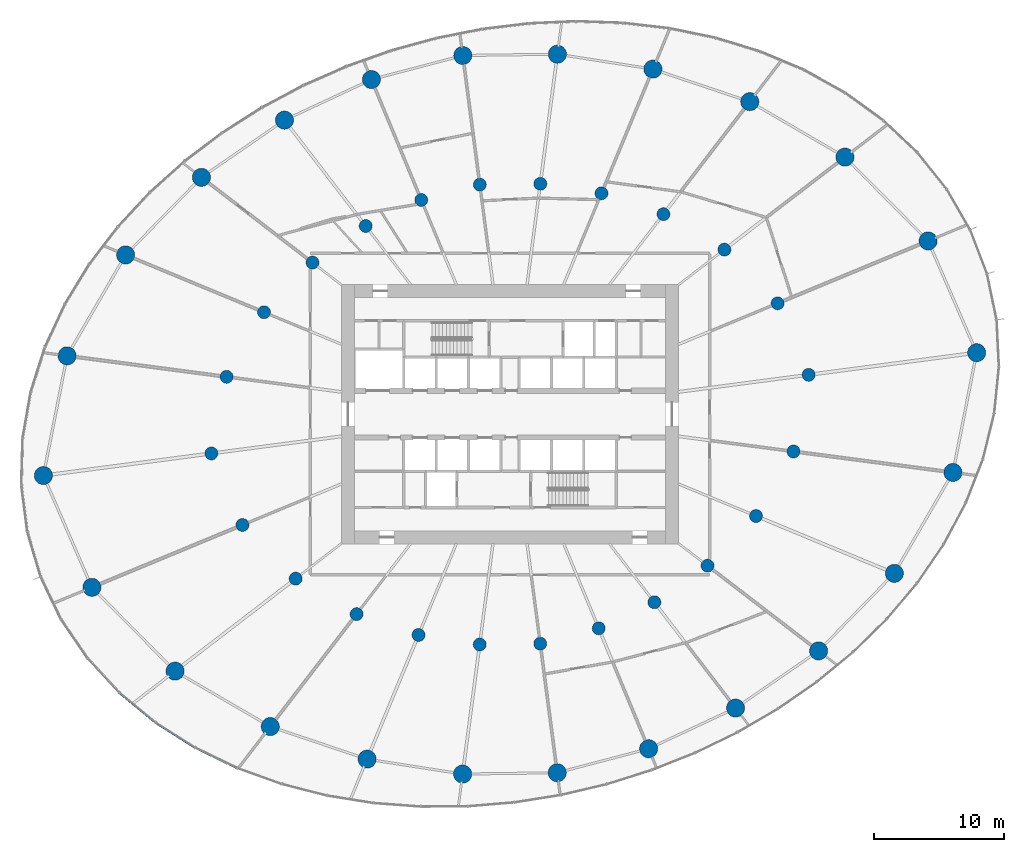
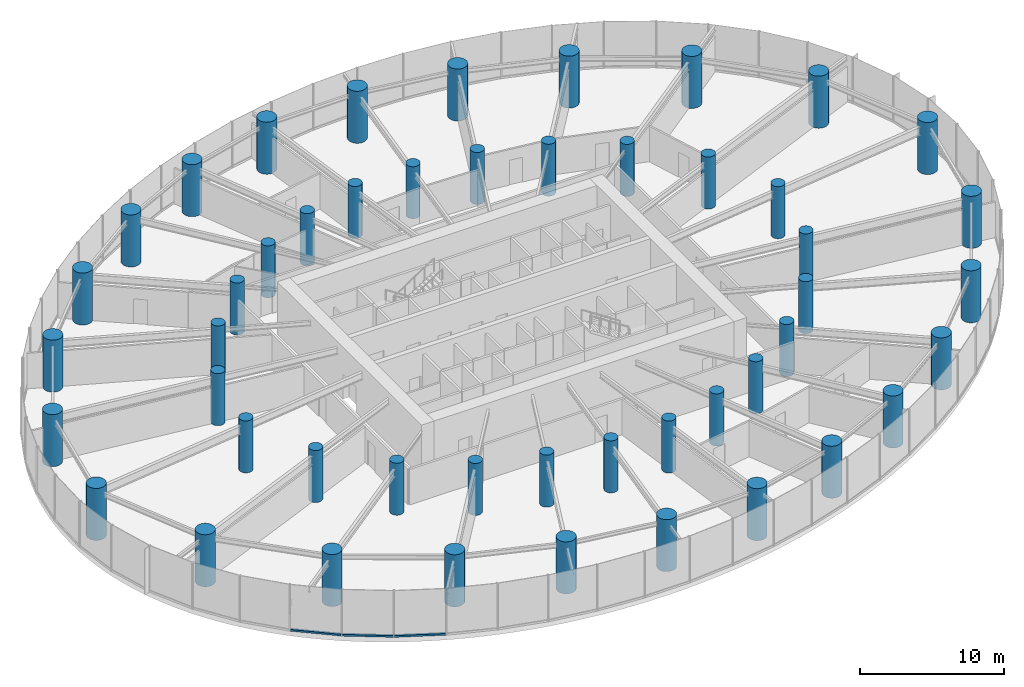
# One storey, part 1 of 18: 48 columns, 3 members, 1 element without a shape of its own.
"""IFC4 building model written with IfcOpenShell, lengths in metres."""

from ifc_helpers import new_model, si_unit, direction, frame, origin, origin_2d, place, context, subcontext, project, spatial, rectangle, circle, extrude, source, transform, mapped, material, layer, layer_set, material_profile, profile_set, type_object, element, aggregate, save


model = new_model("IFC4")

# Units and contexts
model_context = context("Model", 3, precision=1e-05, world=origin(), true_north=direction((0.0, 1.0)))
body_context = subcontext(model_context, "Body", "Model", "MODEL_VIEW")
ifc_project = project(units=[si_unit("LENGTHUNIT", "METRE"), si_unit("AREAUNIT", "SQUARE_METRE"), si_unit("VOLUMEUNIT", "CUBIC_METRE"), si_unit("PLANEANGLEUNIT", "RADIAN"), si_unit("MASSUNIT", "GRAM", prefix="KILO")], contexts=[model_context])

# Site, building, storey
site_placement = place(None, origin())
site = spatial("IfcSite", under=ifc_project, at=site_placement, CompositionType="ELEMENT")
building_placement = place(site_placement, origin())
building = spatial("IfcBuilding", under=site, at=building_placement, Name="Spindrift Exchange Tower", CompositionType="ELEMENT")
storey_placement = place(building_placement, frame((0.0, 0.0, 71.0)))
storey = spatial("IfcBuildingStorey", under=building, at=storey_placement, Name="L16", CompositionType="ELEMENT", Elevation=71.0)

# Columns
ifc_material_1 = material(Name="Concrete 80 MPa", Category="concrete")
ifc_material_profile_1 = material_profile(ifc_material_1, circle(Radius=0.699951171875, at=origin_2d()), Name="RC D1400")
ifc_profile_set_1 = profile_set([ifc_material_profile_1], Name="Concrete 80 MPa")
column_type_1 = type_object("IfcColumnType", Name="RC Perimeter Column D1400 Concrete 80 MPa", PredefinedType="COLUMN", material=ifc_profile_set_1)
shared_shape_1 = source(origin(), body_context, "Body", "SweptSolid", [
    extrude(circle(Radius=0.699951171875, at=origin_2d()), origin(), (0.0, 0.0, 1.0), 4.39990234375),
])
for number, where, z_axis, x_axis, name in (
    (1, (87.990478515625, 52.73828125, 0.0), (0.0, 0.0, 1.0), (1.0, 0.0, 0.0), "Perimeter column P1-01 L16"),
    (2, (84.248779296875, 61.35791015625, 0.0), (0.0, 0.0, 1.0), (1.0, 0.0, 0.0), "Perimeter column P1-02 L16"),
    (3, (77.835693359375, 67.82421875, 0.0), (0.0, 0.0, 1.0), (1.0, 0.0, 0.0), "Perimeter column P1-03 L16"),
    (4, (70.4921875, 72.099609375, 0.0), (0.0, 0.0, 1.0), (1.0, 0.0, 0.0), "Perimeter column P1-04 L16"),
    (5, (63.022705078125, 74.611328125, 0.0), (0.0, 0.0, 1.0), (1.0, 0.0, 0.0), "Perimeter column P1-05 L16"),
    (6, (55.65478515625, 75.761474609375, 0.0), (0.0, 0.0, 1.0), (1.0, 0.0, 0.0), "Perimeter column P1-06 L16"),
    (7, (48.3583984375, 75.661376953125, 0.0), (0.0, 0.0, 1.0), (1.0, 0.0, 0.0), "Perimeter column P1-07 L16"),
    (8, (41.309814453125, 73.80859375, 0.0), (0.0, 0.0, 1.0), (1.0, 0.0, 0.0), "Perimeter column P1-08 L16"),
    (9, (34.603515625, 70.671630859375, 0.0), (0.0, 0.0, 1.0), (1.0, 0.0, 0.0), "Perimeter column P1-09 L16"),
    (10, (28.199462890625, 66.2626953125, 0.0), (0.0, 0.0, 1.0), (1.0, 0.0, 0.0), "Perimeter column P1-10 L16"),
    (11, (22.35546875, 60.279296875, 0.0), (0.0, 0.0, 1.0), (1.0, 0.0, 0.0), "Perimeter column P1-11 L16"),
    (12, (17.8388671875, 52.497314453125, 0.0), (0.0, 0.0, 1.0), (1.0, 0.0, 0.0), "Perimeter column P1-12 L16"),
    (13, (16.009521484375, 43.26171875, 0.0), (0.0, 0.0, 1.0), (1.0, 0.0, 0.0), "Perimeter column P1-13 L16"),
    (14, (19.751220703125, 34.64208984375, 0.0), (0.0, 0.0, 1.0), (1.0, 0.0, 0.0), "Perimeter column P1-14 L16"),
    (15, (26.164306640625, 28.17578125, 0.0), (0.0, 0.0, 1.0), (1.0, 0.0, 0.0), "Perimeter column P1-15 L16"),
    (16, (33.5078125, 23.900390625, 0.0), (0.0, 0.0, 1.0), (1.0, 0.0, 0.0), "Perimeter column P1-16 L16"),
    (17, (40.977294921875, 21.388671875, 0.0), (0.0, 0.0, 1.0), (1.0, 0.0, 0.0), "Perimeter column P1-17 L16"),
    (18, (48.34521484375, 20.238525390625, 0.0), (0.0, 0.0, 1.0), (1.0, 0.0, 0.0), "Perimeter column P1-18 L16"),
    (19, (55.6416015625, 20.338623046875, 0.0), (0.0, 0.0, 1.0), (1.0, 0.0, 0.0), "Perimeter column P1-19 L16"),
    (20, (62.690185546875, 22.19140625, 0.0), (0.0, 0.0, 1.0), (1.0, 0.0, 0.0), "Perimeter column P1-20 L16"),
    (21, (69.396484375, 25.328369140625, 0.0), (0.0, 0.0, 1.0), (1.0, 0.0, 0.0), "Perimeter column P1-21 L16"),
    (22, (75.800537109375, 29.7373046875, 0.0), (0.0, 0.0, 1.0), (1.0, 0.0, 0.0), "Perimeter column P1-22 L16"),
    (23, (81.64453125, 35.720703125, 0.0), (0.0, 0.0, 1.0), (1.0, 0.0, 0.0), "Perimeter column P1-23 L16"),
    (24, (86.1611328125, 43.502685546875, 0.0), (0.0, 0.0, 1.0), (1.0, 0.0, 0.0), "Perimeter column P1-24 L16"),
):
    element("IfcColumn", number, at=place(storey_placement, frame(where, z_axis=z_axis, x_axis=x_axis)), inside=storey, type_object=column_type_1, Name=name, PredefinedType="COLUMN", context=body_context, shape_type="MappedRepresentation", body=[
        mapped(shared_shape_1, transform((0.0, 0.0, 0.0), scale=1.0)),
    ])
ifc_material_profile_2 = material_profile(ifc_material_1, circle(Radius=0.5, at=origin_2d()), Name="RC D1000")
ifc_profile_set_2 = profile_set([ifc_material_profile_2], Name="Concrete 80 MPa")
column_type_2 = type_object("IfcColumnType", Name="RC Inner Column D1000 Concrete 80 MPa", PredefinedType="COLUMN", material=ifc_profile_set_2)
shared_shape_2 = source(origin(), body_context, "Body", "SweptSolid", [
    extrude(circle(Radius=0.5, at=origin_2d()), origin(), (0.0, 0.0, 1.0), 4.39990234375),
])
for number, where, z_axis, x_axis, name in (
    (25, (75.033935546875, 51.032470703125, 0.0), (0.0, 0.0, 1.0), (1.0, 0.0, 0.0), "Inner column Q1-01 L16"),
    (26, (72.639404296875, 56.549072265625, 0.0), (0.0, 0.0, 1.0), (1.0, 0.0, 0.0), "Inner column Q1-02 L16"),
    (27, (68.534912109375, 60.6875, 0.0), (0.0, 0.0, 1.0), (1.0, 0.0, 0.0), "Inner column Q1-03 L16"),
    (28, (63.835205078125, 63.423828125, 0.0), (0.0, 0.0, 1.0), (1.0, 0.0, 0.0), "Inner column Q1-04 L16"),
    (29, (59.0546875, 65.03125, 0.0), (0.0, 0.0, 1.0), (1.0, 0.0, 0.0), "Inner column Q1-05 L16"),
    (30, (54.339111328125, 65.767333984375, 0.0), (0.0, 0.0, 1.0), (1.0, 0.0, 0.0), "Inner column Q1-06 L16"),
    (31, (49.669189453125, 65.703125, 0.0), (0.0, 0.0, 1.0), (1.0, 0.0, 0.0), "Inner column Q1-07 L16"),
    (32, (45.158203125, 64.517578125, 0.0), (0.0, 0.0, 1.0), (1.0, 0.0, 0.0), "Inner column Q1-08 L16"),
    (33, (40.8662109375, 62.510009765625, 0.0), (0.0, 0.0, 1.0), (1.0, 0.0, 0.0), "Inner column Q1-09 L16"),
    (34, (36.767578125, 59.688232421875, 0.0), (0.0, 0.0, 1.0), (1.0, 0.0, 0.0), "Inner column Q1-10 L16"),
    (35, (33.027587890625, 55.858642578125, 0.0), (0.0, 0.0, 1.0), (1.0, 0.0, 0.0), "Inner column Q1-11 L16"),
    (36, (30.13671875, 50.87841796875, 0.0), (0.0, 0.0, 1.0), (1.0, 0.0, 0.0), "Inner column Q1-12 L16"),
    (37, (28.966064453125, 44.967529296875, 0.0), (0.0, 0.0, 1.0), (1.0, 0.0, 0.0), "Inner column Q1-13 L16"),
    (38, (31.360595703125, 39.450927734375, 0.0), (0.0, 0.0, 1.0), (1.0, 0.0, 0.0), "Inner column Q1-14 L16"),
    (39, (35.465087890625, 35.3125, 0.0), (0.0, 0.0, 1.0), (1.0, 0.0, 0.0), "Inner column Q1-15 L16"),
    (40, (40.164794921875, 32.576171875, 0.0), (0.0, 0.0, 1.0), (1.0, 0.0, 0.0), "Inner column Q1-16 L16"),
    (41, (44.9453125, 30.96875, 0.0), (0.0, 0.0, 1.0), (1.0, 0.0, 0.0), "Inner column Q1-17 L16"),
    (42, (49.660888671875, 30.232666015625, 0.0), (0.0, 0.0, 1.0), (1.0, 0.0, 0.0), "Inner column Q1-18 L16"),
    (43, (54.330810546875, 30.296875, 0.0), (0.0, 0.0, 1.0), (1.0, 0.0, 0.0), "Inner column Q1-19 L16"),
    (44, (58.841796875, 31.482421875, 0.0), (0.0, 0.0, 1.0), (1.0, 0.0, 0.0), "Inner column Q1-20 L16"),
    (45, (63.1337890625, 33.489990234375, 0.0), (0.0, 0.0, 1.0), (1.0, 0.0, 0.0), "Inner column Q1-21 L16"),
    (46, (67.232421875, 36.311767578125, 0.0), (0.0, 0.0, 1.0), (1.0, 0.0, 0.0), "Inner column Q1-22 L16"),
    (47, (70.972412109375, 40.141357421875, 0.0), (0.0, 0.0, 1.0), (1.0, 0.0, 0.0), "Inner column Q1-23 L16"),
    (48, (73.86328125, 45.12158203125, 0.0), (0.0, 0.0, 1.0), (1.0, 0.0, 0.0), "Inner column Q1-24 L16"),
):
    element("IfcColumn", number, at=place(storey_placement, frame(where, z_axis=z_axis, x_axis=x_axis)), inside=storey, type_object=column_type_2, Name=name, PredefinedType="COLUMN", context=body_context, shape_type="MappedRepresentation", body=[
        mapped(shared_shape_2, transform((0.0, 0.0, 0.0), scale=1.0)),
    ])

# Curtain wall, members
ifc_material_2 = material(Name="Fritted laminated glass with bronze frame", Category="glass")
ifc_layer = layer(ifc_material_2, 0.199951171875)
ifc_layer_set = layer_set([ifc_layer], Name="ZONE 1 BRONZE FRITTED WALL")
curtain_wall_type = type_object("IfcCurtainWallType", Name="ZONE 1 BRONZE FRITTED WALL", PredefinedType="NOTDEFINED", material=ifc_layer_set)
curtain_wall_placement = place(storey_placement, origin())
curtain_wall = element("IfcCurtainWall", 49, at=curtain_wall_placement, inside=storey, type_object=curtain_wall_type, Name="L16 Zone 1 Bronze Fritted Wall run 6", PredefinedType="NOTDEFINED")
ifc_material_3 = material(Name="Bronze anodised aluminium", Category="aluminium")
ifc_material_profile_3 = material_profile(ifc_material_3, rectangle(XDim=0.179931640625, YDim=0.14990234375, at=origin_2d()), Name="ZONE 1 BRONZE FRITTED WALL TRANSOM 180X150")
ifc_profile_set_3 = profile_set([ifc_material_profile_3], Name="Bronze anodised aluminium")
member_type = type_object("IfcMemberType", Name="ZONE 1 BRONZE FRITTED WALL TRANSOM 180X150", PredefinedType="USERDEFINED", material=ifc_profile_set_3)
shared_shape_3 = source(origin(), body_context, "Body", "SweptSolid", [
    extrude(rectangle(XDim=0.179931640625, YDim=0.14990234375, at=origin_2d()), origin(), (0.0, 0.0, 1.0), 3.545654296875),
])
member_1_placement = place(storey_placement, frame((21.8837890625, 26.5029296875, 0.074951171875), z_axis=(0.771204244404, -0.636587789243, 0.0), x_axis=(0.636587789243, 0.771204244404, 0.0)))
member_1 = element("IfcMember", 50, at=member_1_placement, type_object=member_type, Name="L16 transom CW-1.34", ObjectType="TRANSOM", PredefinedType="USERDEFINED", context=body_context, shape_type="MappedRepresentation", body=[
    mapped(shared_shape_3, transform((0.0, 0.0, 0.0), scale=1.0)),
])
shared_shape_4 = source(origin(), body_context, "Body", "SweptSolid", [
    extrude(rectangle(XDim=0.179931640625, YDim=0.14990234375, at=origin_2d()), origin(), (0.0, 0.0, 1.0), 3.54638671875),
])
member_2_placement = place(storey_placement, frame((27.746826171875, 22.260498046875, 0.074951171875), z_axis=(0.899960644595, -0.435971143748, 0.0), x_axis=(0.435971143748, 0.899960644595, 0.0)))
member_2 = element("IfcMember", 51, at=member_2_placement, type_object=member_type, Name="L16 transom CW-1.36", ObjectType="TRANSOM", PredefinedType="USERDEFINED", context=body_context, shape_type="MappedRepresentation", body=[
    mapped(shared_shape_4, transform((0.0, 0.0, 0.0), scale=1.0)),
])
shared_shape_5 = source(origin(), body_context, "Body", "SweptSolid", [
    extrude(rectangle(XDim=0.179931640625, YDim=0.14990234375, at=origin_2d()), origin(), (0.0, 0.0, 1.0), 3.5458984375),
])
member_3_placement = place(storey_placement, frame((24.682861328125, 24.198974609375, 0.074951171875), z_axis=(0.844389316957, -0.535730045274, 0.0), x_axis=(0.535730045274, 0.844389316957, 0.0)))
member_3 = element("IfcMember", 52, at=member_3_placement, type_object=member_type, Name="L16 transom CW-1.35", ObjectType="TRANSOM", PredefinedType="USERDEFINED", context=body_context, shape_type="MappedRepresentation", body=[
    mapped(shared_shape_5, transform((0.0, 0.0, 0.0), scale=1.0)),
])
aggregate(curtain_wall, [member_1, member_3, member_2])

save(model, "model.ifc")
